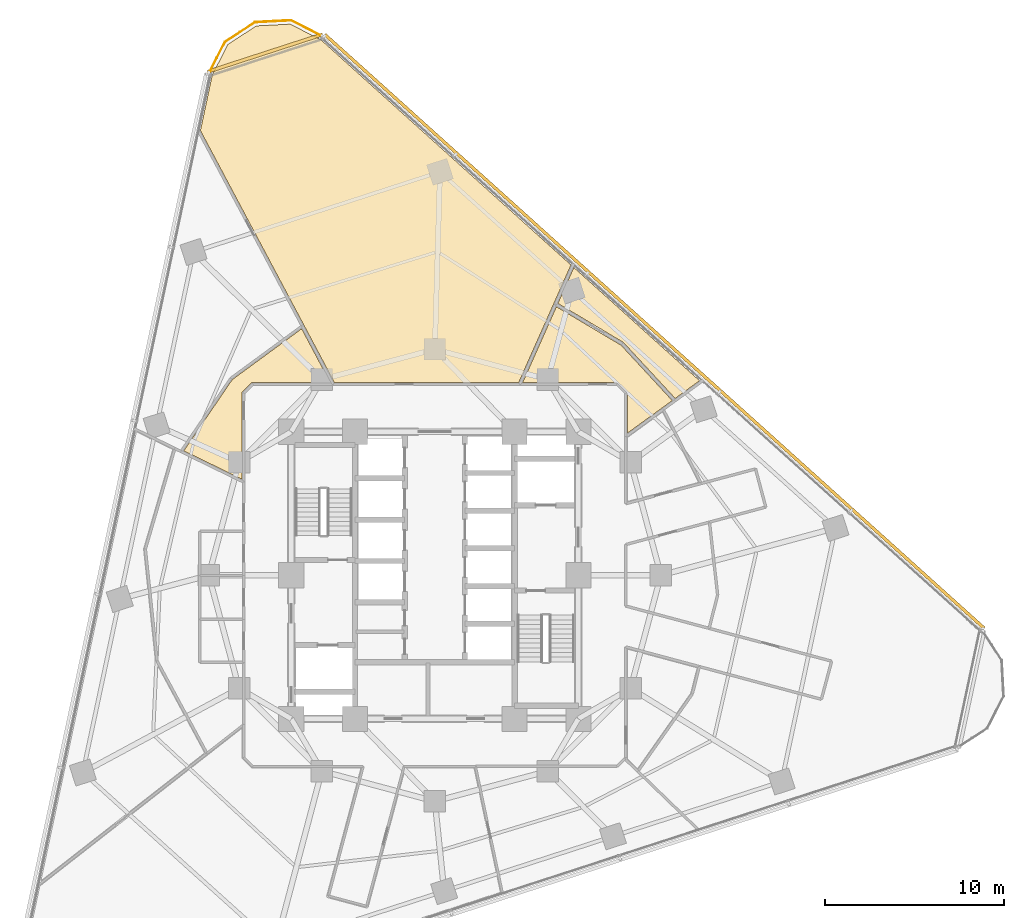
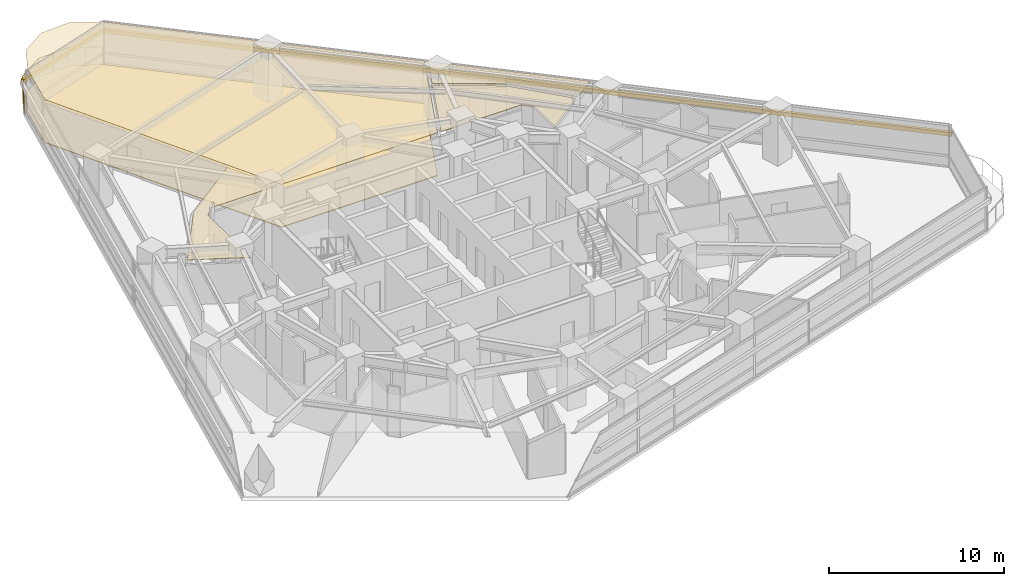
# One storey, part 13 of 13: 5 coverings, 2 shading devices, 1 railing.
"""IFC4 building model written with IfcOpenShell, lengths in metres."""

from ifc_helpers import new_model, si_unit, direction, frame, origin, origin_2d, place, context, subcontext, project, spatial, polyline, rectangle, circle, outline, extrude, material, layer, layer_set, type_object, element, save


model = new_model("IFC4")

# Units and contexts
model_context = context("Model", 3, precision=1e-05, world=origin(), true_north=direction((0.0, 1.0)))
body_context = subcontext(model_context, "Body", "Model", "MODEL_VIEW")
ifc_project = project(units=[si_unit("LENGTHUNIT", "METRE"), si_unit("AREAUNIT", "SQUARE_METRE"), si_unit("VOLUMEUNIT", "CUBIC_METRE"), si_unit("PLANEANGLEUNIT", "RADIAN"), si_unit("MASSUNIT", "GRAM", prefix="KILO")], contexts=[model_context])

# Site, building, storey
site_placement = place(None, origin())
site = spatial("IfcSite", under=ifc_project, at=site_placement, CompositionType="ELEMENT")
building_placement = place(site_placement, origin())
building = spatial("IfcBuilding", under=site, at=building_placement, Name="Terralouvre Media Tower", CompositionType="ELEMENT")
storey_placement = place(building_placement, frame((0.0, 0.0, 101.39990234375)))
storey = spatial("IfcBuildingStorey", under=building, at=storey_placement, Name="L25", CompositionType="ELEMENT", Elevation=101.39990234375)

# Coverings
ifc_material_1 = material(Name="Resilient elastomer acoustic broadcast studio flooring")
ifc_layer_1 = layer(ifc_material_1, 0.050048828125, Name="Broadcast Studio Acoustic Floating Floor FL-AC1")
ifc_layer_set_1 = layer_set([ifc_layer_1], Name="Resilient elastomer acoustic broadcast studio flooring")
covering_type_1 = type_object("IfcCoveringType", Name="Broadcast Studio Acoustic Floating Floor FL-AC1", PredefinedType="FLOORING", material=ifc_layer_set_1)
covering_1_placement = place(storey_placement, frame((0.0, 0.0, 0.0), z_axis=(0.0, 0.0, 1.0), x_axis=(0.951056516295, 0.309016994375, 0.0)))
element("IfcCovering", 1, at=covering_1_placement, inside=storey, type_object=covering_type_1, Name="L25 Mindfulness Recreation Club 11 Acoustic Floating Floor", PredefinedType="FLOORING", context=body_context, shape_type="SweptSolid", body=[
    extrude(outline(polyline([(-2.6337890625, 15.512939453125), (-2.0068359375, 11.955322265625), (7.77001953125, 8.778564453125), (10.99560546875, 12.36083984375), (12.564208984375, 14.10302734375), (3.184326171875, 30.349365234375), (1.825927734375, 31.707275390625), (0.000244140625, 32.1962890625), (-1.826416015625, 31.70703125), (-3.1845703125, 30.3486328125), (-4.7666015625, 27.60791015625), (-2.6337890625, 15.512939453125)])), origin(), (0.0, 0.0, 1.0), 0.050048828125),
])
ifc_material_2 = material(Name="Perforated aluminium acoustic ceiling baffle", Category="aluminium")
ifc_layer_2 = layer(ifc_material_2, 0.0400390625, Name="Perforated Acoustic Metal Tile Ceiling CL-AC1")
ifc_layer_set_2 = layer_set([ifc_layer_2], Name="Perforated aluminium acoustic ceiling baffle")
covering_type_2 = type_object("IfcCoveringType", Name="Perforated Acoustic Metal Tile Ceiling CL-AC1", PredefinedType="CEILING", material=ifc_layer_set_2)
covering_2_placement = place(storey_placement, frame((0.0, 0.0, 2.97998046875), z_axis=(0.0, 0.0, 1.0), x_axis=(0.951056516295, 0.309016994375, 0.0)))
element("IfcCovering", 2, at=covering_2_placement, inside=storey, type_object=covering_type_2, Name="L25 Medical Journalism Research Office 9 Acoustic Ceiling", PredefinedType="CEILING", context=body_context, shape_type="SweptSolid", body=[
    extrude(outline(polyline([(13.99755859375, 9.107177734375), (14.00341796875, 9.099609375), (14.0087890625, 9.091552734375), (14.01318359375, 9.083251953125), (15.786376953125, 5.235107421875), (17.38427734375, 5.75390625), (12.669189453125, 13.9208984375), (11.20361328125, 12.29296875), (13.99755859375, 9.107177734375)])), origin(), (0.0, 0.0, 1.0), 0.0400390625),
])
covering_3_placement = place(storey_placement, frame((0.0, 0.0, 2.97998046875), z_axis=(0.0, 0.0, 1.0), x_axis=(0.951056516295, 0.309016994375, 0.0)))
element("IfcCovering", 3, at=covering_3_placement, inside=storey, type_object=covering_type_2, Name="L25 Staff Wellness Fitness Gym 10 Acoustic Ceiling", PredefinedType="CEILING", context=body_context, shape_type="SweptSolid", body=[
    extrude(outline(polyline([(15.594970703125, 5.1728515625), (13.837646484375, 8.986328125), (11.06884765625, 12.143310546875), (7.978271484375, 8.7109375), (12.97509765625, 7.08740234375), (12.984375, 7.083740234375), (12.9931640625, 7.07958984375), (13.00146484375, 7.07421875), (13.00927734375, 7.068359375), (13.016357421875, 7.0615234375), (13.022705078125, 7.05419921875), (13.0283203125, 7.046142578125), (13.033447265625, 7.03759765625), (13.354248046875, 6.407470703125), (13.3583984375, 6.398681640625), (13.361572265625, 6.389404296875), (13.36376953125, 6.379638671875), (13.364990234375, 6.3701171875), (13.365234375, 6.360107421875), (13.364501953125, 6.350341796875), (13.363037109375, 6.3408203125), (13.3603515625, 6.331298828125), (12.67578125, 4.223876953125), (14.929443359375, 4.9560546875), (15.594970703125, 5.1728515625)])), origin(), (0.0, 0.0, 1.0), 0.0400390625),
])
covering_4_placement = place(storey_placement, frame((0.0, 0.0, 2.97998046875), z_axis=(0.0, 0.0, 1.0), x_axis=(0.951056516295, 0.309016994375, 0.0)))
element("IfcCovering", 4, at=covering_4_placement, inside=storey, type_object=covering_type_2, Name="L25 Mindfulness Recreation Club 11 Acoustic Ceiling", PredefinedType="CEILING", context=body_context, shape_type="SweptSolid", body=[
    extrude(outline(polyline([(-2.6337890625, 15.512939453125), (-2.0068359375, 11.955322265625), (7.77001953125, 8.778564453125), (10.99560546875, 12.36083984375), (12.564208984375, 14.10302734375), (3.184326171875, 30.349365234375), (1.825927734375, 31.707275390625), (0.000244140625, 32.1962890625), (-1.826416015625, 31.70703125), (-3.1845703125, 30.3486328125), (-4.7666015625, 27.60791015625), (-2.6337890625, 15.512939453125)])), origin(), (0.0, 0.0, 1.0), 0.0400390625),
])
covering_5_placement = place(storey_placement, frame((0.0, 0.0, 2.97998046875), z_axis=(0.0, 0.0, 1.0), x_axis=(0.951056516295, 0.309016994375, 0.0)))
element("IfcCovering", 5, at=covering_5_placement, inside=storey, type_object=covering_type_2, Name="L25 Terrace View Hospitality Lounge 13 Acoustic Ceiling", PredefinedType="CEILING", context=body_context, shape_type="SweptSolid", body=[
    extrude(outline(polyline([(-7.370361328125, 13.861572265625), (-11.165771484375, 10.922119140625), (-8.5693359375, 8.4140625), (-7.08740234375, 12.97509765625), (-7.083740234375, 12.984375), (-7.07958984375, 12.9931640625), (-7.07421875, 13.00146484375), (-7.068359375, 13.00927734375), (-7.0615234375, 13.016357421875), (-7.05419921875, 13.022705078125), (-7.046142578125, 13.0283203125), (-7.03759765625, 13.033447265625), (-6.407470703125, 13.354248046875), (-6.398681640625, 13.3583984375), (-6.389404296875, 13.361572265625), (-6.379638671875, 13.36376953125), (-6.3701171875, 13.364990234375), (-6.360107421875, 13.365234375), (-6.350341796875, 13.364501953125), (-6.3408203125, 13.363037109375), (-6.331298828125, 13.3603515625), (-2.22216796875, 12.025146484375), (-2.810791015625, 15.364501953125), (-7.370361328125, 13.861572265625)])), origin(), (0.0, 0.0, 1.0), 0.0400390625),
])

# Railing
ifc_material_3 = material(Name="Stainless steel 316 handrail and balustrade", Category="steel")
ifc_layer_3 = layer(ifc_material_3, 0.06005859375, Name="Roof Edge Safety Guardrail GR-ROOF1")
ifc_layer_set_3 = layer_set([ifc_layer_3], Name="Stainless steel 316 handrail and balustrade")
railing_type = type_object("IfcRailingType", Name="Roof Edge Safety Guardrail GR-ROOF1", PredefinedType="GUARDRAIL", material=ifc_layer_set_3)
railing_placement = place(storey_placement, frame((-6.221435546875, 30.015869140625, 0.0)))
element("IfcRailing", 6, at=railing_placement, inside=storey, type_object=railing_type, Name="L25 Wind-Corner Perimeter Safety Guardrail C2", PredefinedType="GUARDRAIL", context=body_context, shape_type="SweptSolid", body=[
    extrude(circle(Radius=0.02099609375, at=origin_2d()), frame((0.0, 0.0, 1.12890625), z_axis=(-0.890922546915, 0.454155276748, 0.0), x_axis=(-0.454155276748, -0.890922546915, 0.0)), (0.0, 0.0, 1.0), 2.0078125),
    extrude(circle(Radius=0.02099609375, at=origin_2d()), frame((-1.788818359375, 0.911865234375, 1.12890625), z_axis=(-0.998637914219, -0.052175820874, 0.0), x_axis=(0.052175820874, -0.998637914219, 0.0)), (0.0, 0.0, 1.0), 2.00732421875),
    extrude(circle(Radius=0.02099609375, at=origin_2d()), frame((-3.79345703125, 0.80712890625, 1.12890625), z_axis=(-0.838632501794, -0.544697647264, 0.0), x_axis=(0.544697647264, -0.838632501794, 0.0)), (0.0, 0.0, 1.0), 2.007568359375),
    extrude(circle(Radius=0.02099609375, at=origin_2d()), frame((-5.47705078125, -0.286376953125, 1.12890625), z_axis=(-0.453767310879, -0.891120209387, 0.0), x_axis=(0.891120209387, -0.453767310879, 0.0)), (0.0, 0.0, 1.0), 2.0078125),
    extrude(circle(Radius=0.01904296875, at=origin_2d()), origin(), (0.0, 0.0, 1.0), 1.10791015625),
    extrude(circle(Radius=0.01904296875, at=origin_2d()), frame((-0.89453125, 0.4560546875, 0.0)), (0.0, 0.0, 1.0), 1.10791015625),
    extrude(circle(Radius=0.01904296875, at=origin_2d()), frame((-1.788818359375, 0.911865234375, 0.0)), (0.0, 0.0, 1.0), 1.10791015625),
    extrude(circle(Radius=0.01904296875, at=origin_2d()), frame((-2.791015625, 0.859375, 0.0)), (0.0, 0.0, 1.0), 1.10791015625),
    extrude(circle(Radius=0.01904296875, at=origin_2d()), frame((-3.79345703125, 0.80712890625, 0.0)), (0.0, 0.0, 1.0), 1.10791015625),
    extrude(circle(Radius=0.01904296875, at=origin_2d()), frame((-4.63525390625, 0.26025390625, 0.0)), (0.0, 0.0, 1.0), 1.10791015625),
    extrude(circle(Radius=0.01904296875, at=origin_2d()), frame((-5.47705078125, -0.286376953125, 0.0)), (0.0, 0.0, 1.0), 1.10791015625),
    extrude(circle(Radius=0.01904296875, at=origin_2d()), frame((-5.9326171875, -1.18115234375, 0.0)), (0.0, 0.0, 1.0), 1.10791015625),
    extrude(circle(Radius=0.01904296875, at=origin_2d()), frame((-6.38818359375, -2.07568359375, 0.0)), (0.0, 0.0, 1.0), 1.10791015625),
])

# Shading devices
ifc_material_4 = material(Name="Extruded terracotta baguette sunshade louvres", Category="masonry")
shading_device_type = type_object("IfcShadingDeviceType", Name="Terracotta Baguette Sunshade Louvre Screen TB-LV1", PredefinedType="USERDEFINED", material=ifc_material_4)
shading_device_1_placement = place(storey_placement, frame((12.23974609375, 13.59375, 2.02392578125), z_axis=(0.0, 0.0, 1.0), x_axis=(-0.743144795545, 0.669130639602, 0.0)))
element("IfcShadingDevice", 7, at=shading_device_1_placement, inside=storey, type_object=shading_device_type, Name="CW-L25-F1 Terracotta Baguette Sunshade Louvre", ObjectType="BAGUETTE", PredefinedType="USERDEFINED", context=body_context, shape_type="SweptSolid", body=[
    extrude(rectangle(XDim=49.43994140625, YDim=0.179931640625, at=origin_2d()), origin(), (0.0, 0.0, 1.0), 0.280029296875),
])
shading_device_2_placement = place(storey_placement, frame((-9.457275390625, 29.106201171875, 2.02392578125), z_axis=(0.0, 0.0, 1.0), x_axis=(-0.951056286408, -0.309017701894, 0.0)))
element("IfcShadingDevice", 8, at=shading_device_2_placement, inside=storey, type_object=shading_device_type, Name="CW-L25-C2 Terracotta Baguette Sunshade Louvre", ObjectType="BAGUETTE", PredefinedType="USERDEFINED", context=body_context, shape_type="SweptSolid", body=[
    extrude(rectangle(XDim=6.720458984375, YDim=0.179931640625, at=origin_2d()), origin(), (0.0, 0.0, 1.0), 0.280029296875),
])

save(model, "model.ifc")
